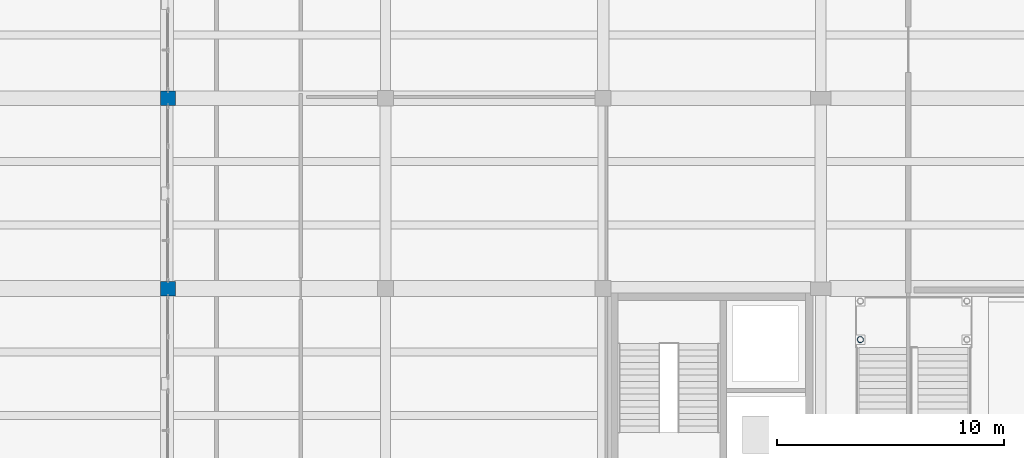
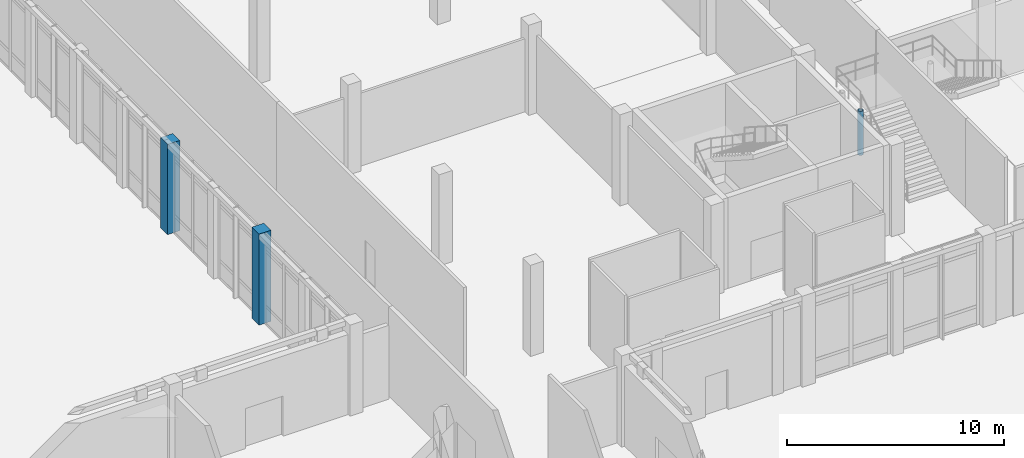
# One storey, part 3 of 71: 3 columns.
"""IFC4 building model written with IfcOpenShell, lengths in metres."""

from ifc_helpers import new_model, si_unit, direction, frame, origin, origin_2d, place, context, subcontext, project, spatial, rectangle, hollow_circle, extrude, material, material_profile, profile_set, type_object, element, save


model = new_model("IFC4")

# Units and contexts
model_context = context("Model", 3, precision=1e-05, world=origin(), true_north=direction((0.0, 1.0)))
body_context = subcontext(model_context, "Body", "Model", "MODEL_VIEW")
ifc_project = project(units=[si_unit("LENGTHUNIT", "METRE"), si_unit("AREAUNIT", "SQUARE_METRE"), si_unit("VOLUMEUNIT", "CUBIC_METRE"), si_unit("PLANEANGLEUNIT", "RADIAN"), si_unit("MASSUNIT", "GRAM", prefix="KILO")], contexts=[model_context])

# Site, building, storey
site_placement = place(None, origin())
site = spatial("IfcSite", under=ifc_project, at=site_placement, CompositionType="ELEMENT")
building_placement = place(site_placement, origin())
building = spatial("IfcBuilding", under=site, at=building_placement, Name="Lornevale Opera House", CompositionType="ELEMENT")
storey_placement = place(building_placement, origin())
storey = spatial("IfcBuildingStorey", under=building, at=storey_placement, Name="L01", CompositionType="ELEMENT", Elevation=0.0)

# Columns
ifc_material_1 = material(Name="Concrete 40 MPa (CSA A23.1 C-1)", Category="concrete")
ifc_material_profile_1 = material_profile(ifc_material_1, rectangle(XDim=0.64990234375, YDim=0.64990234375, at=origin_2d()), Name="RC650x650")
ifc_profile_set_1 = profile_set([ifc_material_profile_1], Name="Concrete 40 MPa (CSA A23.1 C-1)")
column_type_1 = type_object("IfcColumnType", Name="Concrete Column 650x650", PredefinedType="COLUMN", material=ifc_profile_set_1)
column_1_placement = place(storey_placement, frame((28.800048828125, 33.60009765625, 0.0), z_axis=(0.0, 0.0, 1.0), x_axis=(1.0, 0.0, 0.0)))
element("IfcColumn", 1, at=column_1_placement, inside=storey, type_object=column_type_1, Name="Concrete Column 650x650 0176", PredefinedType="COLUMN", context=body_context, shape_type="SweptSolid", body=[
    extrude(rectangle(XDim=0.64990234375, YDim=0.64990234375, at=origin_2d()), origin(), (0.0, 0.0, 1.0), 5.1201171875),
])
column_2_placement = place(storey_placement, frame((28.800048828125, 42.0, 0.0), z_axis=(0.0, 0.0, 1.0), x_axis=(1.0, 0.0, 0.0)))
element("IfcColumn", 2, at=column_2_placement, inside=storey, type_object=column_type_1, Name="Concrete Column 650x650 0180", PredefinedType="COLUMN", context=body_context, shape_type="SweptSolid", body=[
    extrude(rectangle(XDim=0.64990234375, YDim=0.64990234375, at=origin_2d()), origin(), (0.0, 0.0, 1.0), 5.070068359375),
])
ifc_material_2 = material(Name="Structural Steel CSA G40.21 Grade 350W (350 MPa)", Category="steel")
ifc_material_profile_2 = material_profile(ifc_material_2, hollow_circle(Radius=0.136474609375, WallThickness=0.010986328125, at=origin_2d()), Name="HSS273x11")
ifc_profile_set_2 = profile_set([ifc_material_profile_2], Name="Structural Steel CSA G40.21 Grade 350W (350 MPa)")
column_type_2 = type_object("IfcColumnType", Name="Promenade Ramp Mast HSS273x11", PredefinedType="COLUMN", material=ifc_profile_set_2)
column_3_placement = place(storey_placement, frame((59.35009765625, 31.35009765625, 0.0), z_axis=(0.0, 0.0, 1.0), x_axis=(1.0, 0.0, 0.0)))
element("IfcColumn", 3, at=column_3_placement, inside=storey, type_object=column_type_2, Name="Grand Stair Landing Post L01 1122", PredefinedType="COLUMN", context=body_context, shape_type="SweptSolid", body=[
    extrude(hollow_circle(Radius=0.136474609375, WallThickness=0.010986328125, at=origin_2d()), origin(), (0.0, 0.0, 1.0), 2.4599609375),
])

save(model, "model.ifc")
